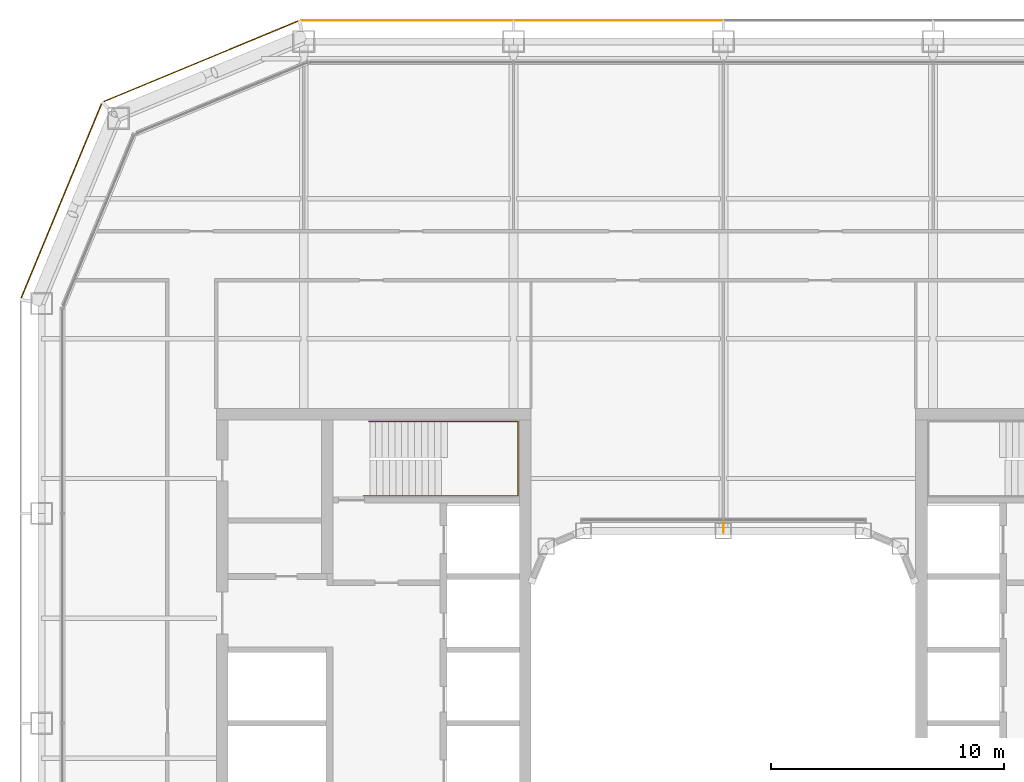
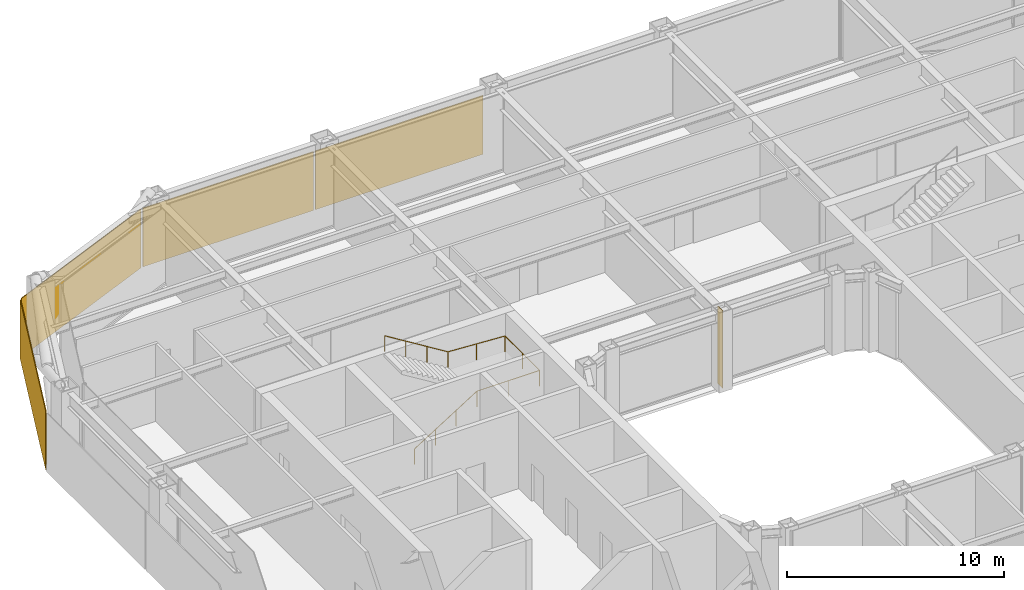
# One storey, part 20 of 21: 4 coverings, 1 railing, 1 shading device.
"""IFC4 building model written with IfcOpenShell, lengths in metres."""

import ifcopenshell
import ifcopenshell.guid

model = None  # the IFC model being written
_history = None  # IfcOwnerHistory: only IFC2X3 demands one
_inside = {}  # id of a spatial element -> (the spatial element, [elements in it])
_under = {}  # id of a project, library or spatial element -> (it, [spatial elements below it])
_declared = {}  # id of a project -> (the project, [libraries it declares])
_typed = {}  # id of a type object -> (the type object, [elements of that type])
_made_of = {}  # id of a material, layer set ... -> (it, [elements and type objects made of it])


def new_model(schema):
    """Start an empty IFC model of exactly this schema.

    Asked for "IFC4X3", IfcOpenShell would pick the latest addendum, in which some entities
    have other attributes; the version numbers below select the first issue.
    IFC2X3 requires an IfcOwnerHistory on every rooted entity: one is made here for all.
    """
    global model, _history
    if schema == "IFC4X3":
        model = ifcopenshell.file(schema_version=(4, 3, 0, 0))
    else:
        model = ifcopenshell.file(schema=schema)
    _inside.clear()
    _under.clear()
    _declared.clear()
    _typed.clear()
    _made_of.clear()
    _history = None
    if model.schema == "IFC2X3":
        org = make("IfcOrganization", Name="unknown")
        user = make(
            "IfcPersonAndOrganization",
            ThePerson=make("IfcPerson", FamilyName="unknown"),
            TheOrganization=org,
        )
        app = make(
            "IfcApplication",
            ApplicationDeveloper=org,
            Version="unknown",
            ApplicationFullName="unknown",
            ApplicationIdentifier="unknown",
        )
        _history = make(
            "IfcOwnerHistory",
            OwningUser=user,
            OwningApplication=app,
            ChangeAction="ADDED",
            CreationDate=0,
        )
    return model


def make(cls, **values):
    """One entity of the class cls with the attributes given. An attribute that is None is left unset."""
    return model.create_entity(
        cls, **{name: value for name, value in values.items() if value is not None}
    )


def rooted(cls, **values):
    """An entity with a GlobalId (a new one), such as an element, a storey or a relation."""
    return make(cls, GlobalId=ifcopenshell.guid.new(), OwnerHistory=_history, **values)


def si_unit(unit_type, name, prefix=None):
    """IfcSIUnit, for example si_unit("LENGTHUNIT", "METRE", prefix="MILLI")."""
    return make("IfcSIUnit", UnitType=unit_type, Prefix=prefix, Name=name)


def assignment(units):
    """IfcUnitAssignment: the units of a project."""
    return None if units is None else make("IfcUnitAssignment", Units=units)


def point(xyz):
    """IfcCartesianPoint."""
    return None if xyz is None else make("IfcCartesianPoint", Coordinates=xyz)


def direction(xyz):
    """IfcDirection."""
    return None if xyz is None else make("IfcDirection", DirectionRatios=xyz)


def frame(location, z_axis=None, x_axis=None):
    """IfcAxis2Placement3D, a coordinate frame: its origin and axes. An axis left out is left unset."""
    return make(
        "IfcAxis2Placement3D",
        Location=point(location),
        Axis=direction(z_axis),
        RefDirection=direction(x_axis),
    )


def frame_2d(location, x_axis=None):
    """IfcAxis2Placement2D, a coordinate frame in the plane: its origin and x axis."""
    return make(
        "IfcAxis2Placement2D", Location=point(location), RefDirection=direction(x_axis)
    )


def origin():
    """The frame at (0, 0, 0) with its axes left unset."""
    return frame((0.0, 0.0, 0.0))


def origin_2d():
    """The frame at (0, 0) in the plane with its x axis left unset."""
    return frame_2d((0.0, 0.0))


def place(relative_to, where):
    """IfcLocalPlacement: puts the frame where relative to a parent placement (None: the world)."""
    return make(
        "IfcLocalPlacement", PlacementRelTo=relative_to, RelativePlacement=where
    )


def context(
    kind, dimensions, precision=None, world=None, true_north=None, identifier=None
):
    """IfcGeometricRepresentationContext, for example the 3D "Model" context."""
    return make(
        "IfcGeometricRepresentationContext",
        ContextIdentifier=identifier,
        ContextType=kind,
        CoordinateSpaceDimension=dimensions,
        Precision=precision,
        WorldCoordinateSystem=world,
        TrueNorth=true_north,
    )


def subcontext(parent, identifier, kind, view, scale=None):
    """IfcGeometricRepresentationSubContext, for example "Body" below "Model"."""
    return make(
        "IfcGeometricRepresentationSubContext",
        ContextIdentifier=identifier,
        ContextType=kind,
        ParentContext=parent,
        TargetScale=scale,
        TargetView=view,
    )


def project(units=None, contexts=None):
    """IfcProject with its units and contexts."""
    return rooted(
        "IfcProject",
        Name="project",
        RepresentationContexts=contexts,
        UnitsInContext=assignment(units),
    )


def spatial(cls, under=None, at=None, **own):
    """A site, building, storey or space (cls), placed at a placement, below another one or the project."""
    s = rooted(cls, ObjectPlacement=at, **own)
    if under is not None:
        _under.setdefault(under.id(), (under, []))[1].append(s)
    return s


def profile(cls, at=None, kind="AREA", **sizes):
    """A parametric profile (cls). Its sizes go by their IFC names, for example OverallWidth=200.0."""
    return make(cls, ProfileType=kind, Position=at, **sizes)


def rectangle(**sizes):
    """IfcRectangleProfileDef."""
    return profile("IfcRectangleProfileDef", **sizes)


def circle(**sizes):
    """IfcCircleProfileDef."""
    return profile("IfcCircleProfileDef", **sizes)


def extrude(swept, where, along, depth):
    """IfcExtrudedAreaSolid: the profile swept, set in the frame where, extruded along a direction by depth."""
    return make(
        "IfcExtrudedAreaSolid",
        SweptArea=swept,
        Position=where,
        ExtrudedDirection=direction(along),
        Depth=depth,
    )


def shape(context_of_items, identifier, shape_type, items):
    """IfcShapeRepresentation: the items that make up one representation, for example the "Body"."""
    return make(
        "IfcShapeRepresentation",
        ContextOfItems=context_of_items,
        RepresentationIdentifier=identifier,
        RepresentationType=shape_type,
        Items=items,
    )


def material(Name=None, Category=None):
    """IfcMaterial."""
    return make("IfcMaterial", Name=Name, Category=Category)


def layer(
    of_material, thickness, ventilated=None, Name=None, Category=None, Priority=None
):
    """IfcMaterialLayer: one layer of a wall or slab, of a material (None: an air gap)."""
    return make(
        "IfcMaterialLayer",
        Material=of_material,
        LayerThickness=thickness,
        IsVentilated=ventilated,
        Name=Name,
        Category=Category,
        Priority=Priority,
    )


def layer_set(layers, Name=None):
    """IfcMaterialLayerSet."""
    return make("IfcMaterialLayerSet", MaterialLayers=layers, LayerSetName=Name)


def made_of(thing, what):
    """Note that an element or type object is made of a material, layer set ...; save() writes the relation."""
    if what is not None:
        _made_of.setdefault(what.id(), (what, []))[1].append(thing)
    return thing


def type_object(cls, material=None, **own):
    """A type object (cls), such as IfcWallType, which elements share."""
    return made_of(rooted(cls, **own), material)


def element(
    cls,
    number,
    at=None,
    inside=None,
    cuts=None,
    type_object=None,
    material=None,
    context=None,
    identifier="Body",
    shape_type=None,
    held_by="IfcProductDefinitionShape",
    body=None,
    shapes=None,
    **own,
):
    """One element of the class cls, such as IfcWall. Its Tag is "e" and its number.

    at: its placement. inside: the storey or other place that contains it. cuts: it is an
    opening in that element (IfcRelVoidsElement). A single representation is given by context,
    identifier, shape_type and body (its items); several are given by shapes. held_by: the class
    of the entity that holds the representations. save() writes the other relations.
    """
    e = rooted(cls, Tag="e%d" % number, ObjectPlacement=at, **own)
    if body is not None:
        shapes = [shape(context, identifier, shape_type, body)]
    if shapes is not None:
        e.Representation = make(held_by, Representations=shapes)
    if inside is not None:
        _inside.setdefault(inside.id(), (inside, []))[1].append(e)
    if cuts is not None:
        rooted(
            "IfcRelVoidsElement", RelatingBuildingElement=cuts, RelatedOpeningElement=e
        )
    if type_object is not None:
        _typed.setdefault(type_object.id(), (type_object, []))[1].append(e)
    return made_of(e, material)


def aggregate(whole, parts):
    """IfcRelAggregates: a whole, such as a stair, and the parts it consists of."""
    return rooted("IfcRelAggregates", RelatingObject=whole, RelatedObjects=parts)


def save(model, path):
    """Write the relations noted so far, then the file.

    IfcRelAggregates (storeys below a building ...), IfcRelContainedInSpatialStructure (elements
    in a storey), IfcRelDefinesByType, IfcRelAssociatesMaterial and IfcRelDeclares: one each for
    every whole, place, type object, material and project.
    """
    for whole, parts in _under.values():
        aggregate(whole, parts)
    for where, things in _inside.values():
        rooted(
            "IfcRelContainedInSpatialStructure",
            RelatedElements=things,
            RelatingStructure=where,
        )
    for kind, things in _typed.values():
        rooted("IfcRelDefinesByType", RelatedObjects=things, RelatingType=kind)
    for what, things in _made_of.values():
        rooted("IfcRelAssociatesMaterial", RelatedObjects=things, RelatingMaterial=what)
    for by, libraries in _declared.values():
        rooted("IfcRelDeclares", RelatingContext=by, RelatedDefinitions=libraries)
    model.write(path)


model = new_model("IFC4")

# Units and contexts
model_context = context("Model", 3, precision=1e-05, world=origin(), true_north=direction((0.0, 1.0)))
body_context = subcontext(model_context, "Body", "Model", "MODEL_VIEW")
ifc_project = project(units=[si_unit("LENGTHUNIT", "METRE"), si_unit("AREAUNIT", "SQUARE_METRE"), si_unit("VOLUMEUNIT", "CUBIC_METRE"), si_unit("PLANEANGLEUNIT", "RADIAN"), si_unit("MASSUNIT", "GRAM", prefix="KILO")], contexts=[model_context])

# Site, building, storey
site_placement = place(None, origin())
site = spatial("IfcSite", under=ifc_project, at=site_placement, CompositionType="ELEMENT")
building_placement = place(site_placement, origin())
building = spatial("IfcBuilding", under=site, at=building_placement, Name="Siwar Civic Tower", CompositionType="ELEMENT")
storey_placement = place(building_placement, frame((0.0, 0.0, 140.699951171875)))
storey = spatial("IfcBuildingStorey", under=building, at=storey_placement, Name="L30", CompositionType="ELEMENT", Elevation=140.699951171875)

# Railing
ifc_material_1 = material(Name="Stainless steel", Category="steel")
railing_type = type_object("IfcRailingType", Name="CORE-STAIR-HANDRAIL", PredefinedType="HANDRAIL", material=ifc_material_1)
railing_placement = place(storey_placement, frame((-15.449951171875, 9.758056640625, 0.173095703125)))
element("IfcRailing", 1, at=railing_placement, inside=storey, type_object=railing_type, Name="Stair handrail ST1", PredefinedType="HANDRAIL", context=body_context, shape_type="SweptSolid", body=[
    extrude(circle(Radius=0.02001953125, at=origin_2d()), frame((0.0, 0.0, 0.8798828125), z_axis=(0.847063342986, 0.0, 0.531491950051), x_axis=(0.0, 1.0, 0.0)), (0.0, 0.0, 1.0), 3.90771484375),
    extrude(circle(Radius=0.02001953125, at=origin_2d()), frame((3.31005859375, 0.0, 2.956787109375), z_axis=(1.0, 0.0, 0.0), x_axis=(0.0, 1.0, 0.0)), (0.0, 0.0, 1.0), 3.331787109375),
    extrude(circle(Radius=0.02001953125, at=origin_2d()), frame((6.641845703125, 0.0, 2.956787109375), z_axis=(0.0, 1.0, 0.0), x_axis=(-1.0, 0.0, 0.0)), (0.0, 0.0, 1.0), 3.183837890625),
    extrude(circle(Radius=0.02001953125, at=origin_2d()), frame((6.641845703125, 3.183837890625, 2.956787109375), z_axis=(-0.99837434197, 0.0, 0.056997134106), x_axis=(0.0, -1.0, 0.0)), (0.0, 0.0, 1.0), 3.036865234375),
    extrude(circle(Radius=0.02001953125, at=origin_2d()), frame((3.60986328125, 3.183837890625, 3.1298828125), z_axis=(-0.850606129759, 0.0, 0.525803396734), x_axis=(0.0, -1.0, 0.0)), (0.0, 0.0, 1.0), 3.949951171875),
    extrude(circle(Radius=0.02001953125, at=origin_2d()), origin(), (0.0, 0.0, 1.0), 0.85986328125),
    extrude(circle(Radius=0.02001953125, at=origin_2d()), frame((1.103271484375, 0.0, 0.6923828125)), (0.0, 0.0, 1.0), 0.85986328125),
    extrude(circle(Radius=0.02001953125, at=origin_2d()), frame((2.206787109375, 0.0, 1.384521484375)), (0.0, 0.0, 1.0), 0.85986328125),
    extrude(circle(Radius=0.02001953125, at=origin_2d()), frame((3.31005859375, 0.0, 2.076904296875)), (0.0, 0.0, 1.0), 0.85986328125),
    extrude(circle(Radius=0.02001953125, at=origin_2d()), frame((4.97607421875, 0.0, 2.076904296875)), (0.0, 0.0, 1.0), 0.85986328125),
    extrude(circle(Radius=0.02001953125, at=origin_2d()), frame((6.641845703125, 0.0, 2.076904296875)), (0.0, 0.0, 1.0), 0.85986328125),
    extrude(circle(Radius=0.02001953125, at=origin_2d()), frame((6.641845703125, 1.591796875, 2.076904296875)), (0.0, 0.0, 1.0), 0.85986328125),
    extrude(circle(Radius=0.02001953125, at=origin_2d()), frame((6.641845703125, 3.183837890625, 2.076904296875)), (0.0, 0.0, 1.0), 0.85986328125),
    extrude(circle(Radius=0.02001953125, at=origin_2d()), frame((5.1259765625, 3.183837890625, 2.16357421875)), (0.0, 0.0, 1.0), 0.85986328125),
    extrude(circle(Radius=0.02001953125, at=origin_2d()), frame((3.60986328125, 3.183837890625, 2.25)), (0.0, 0.0, 1.0), 0.85986328125),
    extrude(circle(Radius=0.02001953125, at=origin_2d()), frame((2.489990234375, 3.183837890625, 2.9423828125)), (0.0, 0.0, 1.0), 0.85986328125),
    extrude(circle(Radius=0.02001953125, at=origin_2d()), frame((1.369873046875, 3.183837890625, 3.634521484375)), (0.0, 0.0, 1.0), 0.85986328125),
    extrude(circle(Radius=0.02001953125, at=origin_2d()), frame((0.25, 3.183837890625, 4.326904296875)), (0.0, 0.0, 1.0), 0.85986328125),
])

# Shading device
ifc_material_2 = material(Name="Aluminium 6063-T6", Category="aluminium")
ifc_layer_1 = layer(ifc_material_2, 0.02001953125)
ifc_layer_set_1 = layer_set([ifc_layer_1], Name="Aluminium 6063-T6")
shading_device_type = type_object("IfcShadingDeviceType", Name="ENV-FIN", PredefinedType="JALOUSIE", material=ifc_layer_set_1)
shading_device_placement = place(storey_placement, frame((0.0, 8.39501953125, 0.0), z_axis=(0.0, 0.0, 1.0), x_axis=(-1.0, 0.0, 0.0)))
element("IfcShadingDevice", 2, at=shading_device_placement, inside=storey, type_object=shading_device_type, Name="SUNSHADE fin WN 1", PredefinedType="JALOUSIE", context=body_context, shape_type="SweptSolid", body=[
    extrude(rectangle(XDim=0.02001953125, YDim=0.449951171875, at=origin_2d()), origin(), (0.0, 0.0, 1.0), 4.35009765625),
])

# Coverings
ifc_material_3 = material(Name="Perforated aluminium cassette, pale metal", Category="aluminium")
ifc_layer_2 = layer(ifc_material_3, 0.0400390625)
ifc_layer_set_2 = layer_set([ifc_layer_2], Name="Perforated aluminium cassette, pale metal")
covering_type_1 = type_object("IfcCoveringType", Name="ENV-OUTER SKIN OS-1", PredefinedType="CLADDING", material=ifc_layer_set_2)
covering_1_placement = place(storey_placement, frame((-4.5, 30.14990234375, -0.14990234375), z_axis=(0.0, 0.0, 1.0), x_axis=(-1.0, 0.0, 0.0)))
element("IfcCovering", 3, at=covering_1_placement, inside=storey, type_object=covering_type_1, Name="OUTER SKIN OS-1 N 3", PredefinedType="CLADDING", context=body_context, shape_type="SweptSolid", body=[
    extrude(rectangle(XDim=8.89990234375, YDim=0.0400390625, at=origin_2d()), origin(), (0.0, 0.0, 1.0), 3.300048828125),
])
covering_2_placement = place(storey_placement, frame((-13.57958984375, 30.14990234375, -0.14990234375), z_axis=(0.0, 0.0, 1.0), x_axis=(-1.0, 0.0, 0.0)))
element("IfcCovering", 4, at=covering_2_placement, inside=storey, type_object=covering_type_1, Name="OUTER SKIN OS-1 N 4", PredefinedType="CLADDING", context=body_context, shape_type="SweptSolid", body=[
    extrude(rectangle(XDim=9.05908203125, YDim=0.0400390625, at=origin_2d()), origin(), (0.0, 0.0, 1.0), 3.300048828125),
])
covering_3_placement = place(storey_placement, frame((-22.411376953125, 28.39697265625, -0.14990234375), z_axis=(0.0, 0.0, 1.0), x_axis=(-0.923879532511, -0.382683432365, 0.0)))
element("IfcCovering", 5, at=covering_3_placement, inside=storey, type_object=covering_type_1, Name="OUTER SKIN OS-1 NW1 1", PredefinedType="CLADDING", context=body_context, shape_type="SweptSolid", body=[
    extrude(rectangle(XDim=9.022216796875, YDim=0.0400390625, at=origin_2d()), origin(), (0.0, 0.0, 1.0), 3.300048828125),
])
ifc_material_4 = material(Name="Perforated aluminium cassette, pale metal", Category="aluminium")
ifc_layer_3 = layer(ifc_material_4, 0.044921875)
ifc_layer_set_3 = layer_set([ifc_layer_3], Name="Perforated aluminium cassette, pale metal")
covering_type_2 = type_object("IfcCoveringType", Name="ENV-OUTER SKIN OS-2", PredefinedType="CLADDING", material=ifc_layer_set_3)
covering_4_placement = place(storey_placement, frame((-28.39697265625, 22.411376953125, -0.14990234375), z_axis=(0.0, 0.0, 1.0), x_axis=(-0.382683432365, -0.923879532511, 0.0)))
element("IfcCovering", 6, at=covering_4_placement, inside=storey, type_object=covering_type_2, Name="OUTER SKIN OS-2 NW2 1", PredefinedType="CLADDING", context=body_context, shape_type="SweptSolid", body=[
    extrude(rectangle(XDim=9.022216796875, YDim=0.044921875, at=origin_2d()), origin(), (0.0, 0.0, 1.0), 3.300048828125),
])

save(model, "model.ifc")
